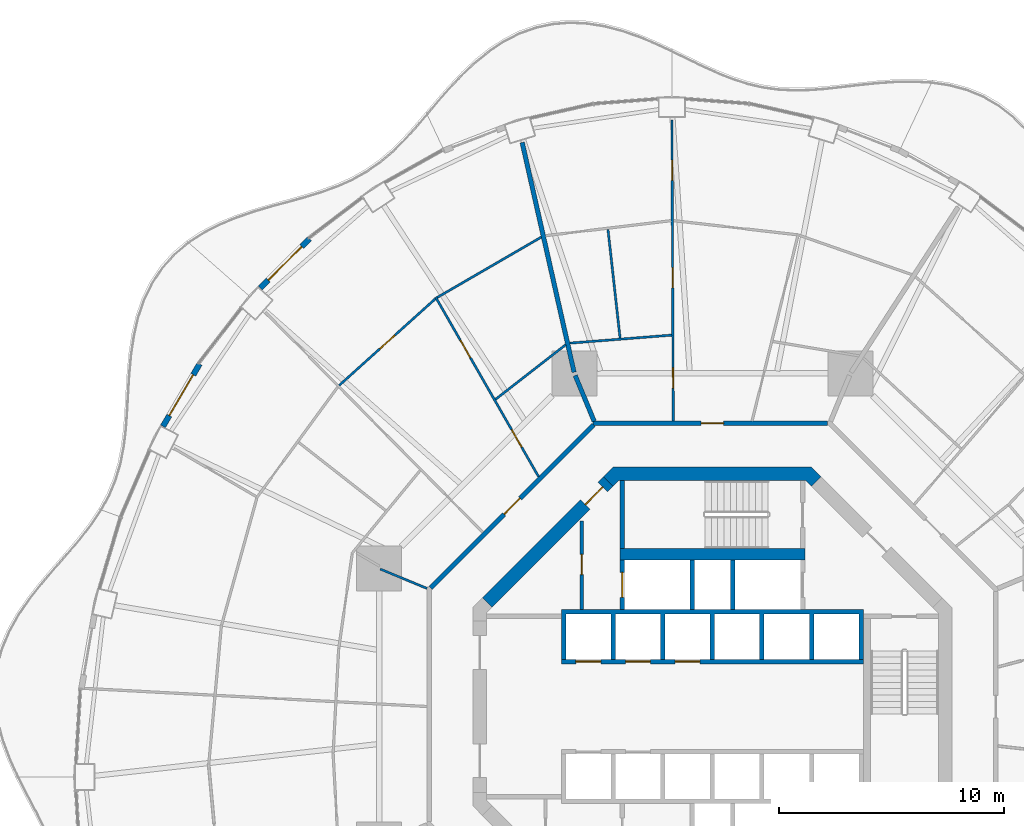
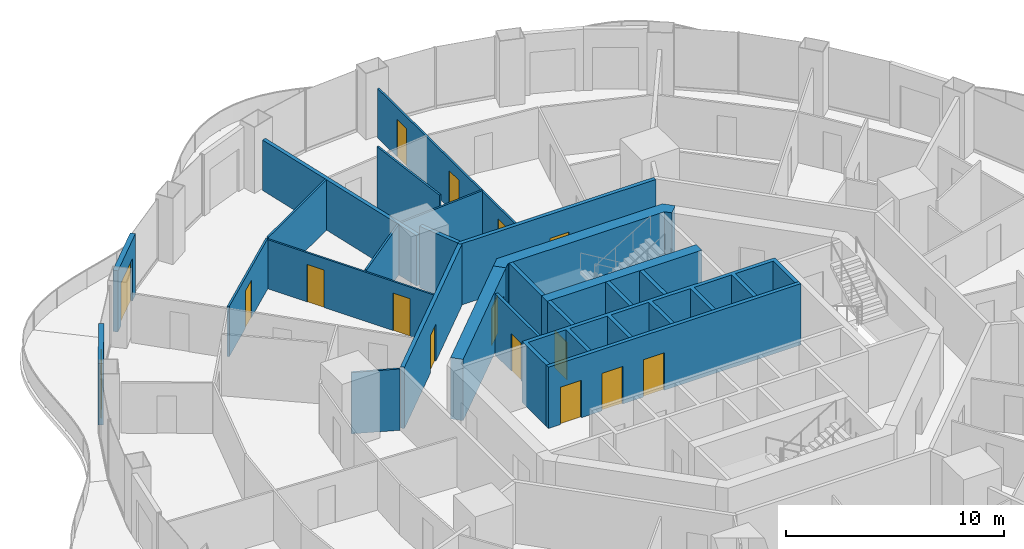
# One storey, part 15 of 20: 24 walls, 16 doors, 16 openings.
"""IFC4 building model written with IfcOpenShell, lengths in metres."""

from ifc_helpers import new_model, si_unit, direction, frame, frame_2d, origin, place, context, subcontext, project, spatial, polyline, rectangle, outline, extrude, material, layer, layer_set, type_object, element, fill, save


model = new_model("IFC4")

# Units and contexts
model_context = context("Model", 3, precision=1e-05, world=origin(), true_north=direction((0.0, 1.0)))
body_context = subcontext(model_context, "Body", "Model", "MODEL_VIEW")
ifc_project = project(units=[si_unit("LENGTHUNIT", "METRE"), si_unit("AREAUNIT", "SQUARE_METRE"), si_unit("VOLUMEUNIT", "CUBIC_METRE"), si_unit("PLANEANGLEUNIT", "RADIAN"), si_unit("MASSUNIT", "GRAM", prefix="KILO")], contexts=[model_context])

# Site, building, storey
site_placement = place(None, origin())
site = spatial("IfcSite", under=ifc_project, at=site_placement, CompositionType="ELEMENT")
building_placement = place(site_placement, origin())
building = spatial("IfcBuilding", under=site, at=building_placement, Name="Nagisa Residences", CompositionType="ELEMENT")
storey_placement = place(building_placement, frame((0.0, 0.0, 152.89990234375)))
storey = spatial("IfcBuildingStorey", under=building, at=storey_placement, Name="L38", CompositionType="ELEMENT", Elevation=152.89990234375)

# Walls
ifc_material_1 = material(Name="Gypsum board on steel studs", Category="steel")
ifc_layer_1 = layer(ifc_material_1, 0.199951171875)
ifc_layer_set_1 = layer_set([ifc_layer_1], Name="Apartment compartment wall EI60 200")
wall_type_1 = type_object("IfcWallType", Name="Apartment compartment wall EI60 200", PredefinedType="PARTITIONING", material=ifc_layer_set_1)
wall_1_placement = place(storey_placement, frame((-5.24267578125, 12.6572265625, 0.0), z_axis=(0.0, 0.0, 1.0), x_axis=(-0.38273085373, 0.923859888513, 0.0)))
element("IfcWall", 1, at=wall_1_placement, inside=storey, type_object=wall_type_1, Name="wall:L38:u04", PredefinedType="PARTITIONING", context=body_context, shape_type="SweptSolid", body=[
    extrude(rectangle(XDim=2.199462890625, YDim=0.199951171875, at=frame_2d((1.099609375, 0.0))), origin(), (0.0, 0.0, 1.0), 3.440185546875),
])
wall_2_placement = place(storey_placement, frame((-6.1337890625, 14.830810546875, 0.0), z_axis=(0.0, 0.0, 1.0), x_axis=(-0.220337590808, 0.975423675167, 0.0)))
element("IfcWall", 2, at=wall_2_placement, inside=storey, type_object=wall_type_1, Name="wall:L38:u05", PredefinedType="PARTITIONING", context=body_context, shape_type="SweptSolid", body=[
    extrude(rectangle(XDim=10.450927734375, YDim=0.199951171875, at=frame_2d((5.2255859375, 0.0))), origin(), (0.0, 0.0, 1.0), 2.828125),
])

# Wall, opening, door
ifc_material_2 = material(Name="Gypsum board on steel studs", Category="steel")
ifc_layer_2 = layer(ifc_material_2, 0.199951171875)
ifc_layer_set_2 = layer_set([ifc_layer_2], Name="Apartment entry wall EI60 200")
wall_type_2 = type_object("IfcWallType", Name="Apartment entry wall EI60 200", PredefinedType="PARTITIONING", material=ifc_layer_set_2)
wall_3_placement = place(storey_placement, frame((5.1044921875, 12.564697265625, 0.0), z_axis=(0.0, 0.0, 1.0), x_axis=(-1.0, 0.0, 0.0)))
wall_3 = element("IfcWall", 3, at=wall_3_placement, inside=storey, type_object=wall_type_2, Name="wall:L38:u14", PredefinedType="PARTITIONING", context=body_context, shape_type="SweptSolid", body=[
    extrude(rectangle(XDim=10.408935546875, YDim=0.199951171875, at=frame_2d((5.20458984375, 0.0))), origin(), (0.0, 0.0, 1.0), 3.440185546875),
])
opening_1_placement = place(wall_3_placement, frame((4.6044921875, 0.0, 0.0)))
opening_1 = element("IfcOpeningElement", 4, at=opening_1_placement, cuts=wall_3, Name="Opening L38-U24", PredefinedType="OPENING", context=body_context, shape_type="SweptSolid", body=[
    extrude(rectangle(XDim=1.0, YDim=2.10009765625, at=frame_2d((0.5, 1.050048828125))), frame((0.0, 0.10986328125, 0.0), z_axis=(0.0, -1.0, 0.0), x_axis=(1.0, 0.0, 0.0)), (0.0, 0.0, 1.0), 0.219970703125),
])
ifc_material_3 = material(Name="Timber fire door set", Category="wood")
door_type_1 = type_object("IfcDoorType", Name="Apartment entry door FD30S 1000x2100", OperationType="NOTDEFINED", PredefinedType="DOOR", material=ifc_material_3)
door_1_placement = place(opening_1_placement, frame((1.0, 0.0, 0.0), x_axis=(-1.0, 0.0, 0.0)))
door_1 = element("IfcDoor", 5, at=door_1_placement, inside=storey, type_object=door_type_1, Name="Entry door, Apartment 38D", OperationType="SINGLE_SWING_LEFT", OverallHeight=2.10009765625, OverallWidth=1.0, PredefinedType="DOOR", context=body_context, shape_type="SweptSolid", body=[
    extrude(rectangle(XDim=1.0, YDim=2.10009765625, at=frame_2d((0.5, 1.050048828125))), frame((0.0, 0.02490234375, 0.0), z_axis=(0.0, -1.0, 0.0), x_axis=(1.0, 0.0, 0.0)), (0.0, 0.0, 1.0), 0.050048828125),
])
fill(opening_1, door_1)

wall_4_placement = place(storey_placement, frame((-5.275146484375, 12.494140625, 0.0), z_axis=(0.0, 0.0, 1.0), x_axis=(-0.707106781187, -0.707106781187, 0.0)))
wall_4 = element("IfcWall", 6, at=wall_4_placement, inside=storey, type_object=wall_type_2, Name="wall:L38:u15", PredefinedType="PARTITIONING", context=body_context, shape_type="SweptSolid", body=[
    extrude(rectangle(XDim=10.209228515625, YDim=0.199951171875, at=frame_2d((5.1044921875, 0.0))), origin(), (0.0, 0.0, 1.0), 3.440185546875),
])
opening_2_placement = place(wall_4_placement, frame((4.6044921875, 0.0, 0.0)))
opening_2 = element("IfcOpeningElement", 7, at=opening_2_placement, cuts=wall_4, Name="Opening L38-U32", PredefinedType="OPENING", context=body_context, shape_type="SweptSolid", body=[
    extrude(rectangle(XDim=1.0, YDim=2.10009765625, at=frame_2d((0.5, 1.050048828125))), frame((0.0, 0.10986328125, 0.0), z_axis=(0.0, -1.0, 0.0), x_axis=(1.0, 0.0, 0.0)), (0.0, 0.0, 1.0), 0.219970703125),
])
door_2_placement = place(opening_2_placement, frame((1.0, 0.0, 0.0), x_axis=(-1.0, 0.0, 0.0)))
door_2 = element("IfcDoor", 8, at=door_2_placement, inside=storey, type_object=door_type_1, Name="Entry door, Apartment 38E", OperationType="SINGLE_SWING_LEFT", OverallHeight=2.10009765625, OverallWidth=1.0, PredefinedType="DOOR", context=body_context, shape_type="SweptSolid", body=[
    extrude(rectangle(XDim=1.0, YDim=2.10009765625, at=frame_2d((0.5, 1.050048828125))), frame((0.0, 0.02490234375, 0.0), z_axis=(0.0, -1.0, 0.0), x_axis=(1.0, 0.0, 0.0)), (0.0, 0.0, 1.0), 0.050048828125),
])
fill(opening_2, door_2)

# Wall, openings, doors
ifc_material_4 = material(Name="Gypsum board on steel studs", Category="steel")
ifc_layer_3 = layer(ifc_material_4, 0.10009765625)
ifc_layer_set_3 = layer_set([ifc_layer_3], Name="Apartment partition 100")
wall_type_3 = type_object("IfcWallType", Name="Apartment partition 100", PredefinedType="PARTITIONING", material=ifc_layer_set_3)
wall_5_placement = place(storey_placement, frame((-1.7353515625, 12.664794921875, 0.0), z_axis=(0.0, 0.0, 1.0), x_axis=(-0.004494500855, 0.99998989968, 0.0)))
wall_5 = element("IfcWall", 9, at=wall_5_placement, inside=storey, type_object=wall_type_3, Name="wall:L38:u39", PredefinedType="PARTITIONING", context=body_context, shape_type="SweptSolid", body=[
    extrude(rectangle(XDim=13.36279296875, YDim=0.10009765625, at=frame_2d((6.681396484375, 0.0))), origin(), (0.0, 0.0, 1.0), 2.756103515625),
])
opening_3_placement = place(wall_5_placement, frame((1.459228515625, 0.0, 0.0)))
opening_3 = element("IfcOpeningElement", 10, at=opening_3_placement, cuts=wall_5, Name="Opening L38-U26", PredefinedType="OPENING", context=body_context, shape_type="SweptSolid", body=[
    extrude(rectangle(XDim=0.89990234375, YDim=2.10009765625, at=frame_2d((0.449951171875, 1.050048828125))), frame((0.0, 0.06005859375, 0.0), z_axis=(0.0, -1.0, 0.0), x_axis=(1.0, 0.0, 0.0)), (0.0, 0.0, 1.0), 0.1201171875),
])
opening_4_placement = place(wall_5_placement, frame((5.908203125, 0.0, 0.0)))
opening_4 = element("IfcOpeningElement", 11, at=opening_4_placement, cuts=wall_5, Name="Opening L38-U28", PredefinedType="OPENING", context=body_context, shape_type="SweptSolid", body=[
    extrude(rectangle(XDim=0.89990234375, YDim=2.10009765625, at=frame_2d((0.449951171875, 1.050048828125))), frame((0.0, 0.06005859375, 0.0), z_axis=(0.0, -1.0, 0.0), x_axis=(1.0, 0.0, 0.0)), (0.0, 0.0, 1.0), 0.1201171875),
])
opening_5_placement = place(wall_5_placement, frame((10.680419921875, 0.0, 0.0)))
opening_5 = element("IfcOpeningElement", 12, at=opening_5_placement, cuts=wall_5, Name="Opening L38-U30", PredefinedType="OPENING", context=body_context, shape_type="SweptSolid", body=[
    extrude(rectangle(XDim=0.89990234375, YDim=2.10009765625, at=frame_2d((0.449951171875, 1.050048828125))), frame((0.0, 0.06005859375, 0.0), z_axis=(0.0, -1.0, 0.0), x_axis=(1.0, 0.0, 0.0)), (0.0, 0.0, 1.0), 0.1201171875),
])
ifc_material_5 = material(Name="Timber door set", Category="wood")
door_type_2 = type_object("IfcDoorType", Name="Apartment door 900x2100", OperationType="NOTDEFINED", PredefinedType="DOOR", material=ifc_material_5)
door_3_placement = place(opening_3_placement, origin())
door_3 = element("IfcDoor", 13, at=door_3_placement, inside=storey, type_object=door_type_2, Name="Door to family bathroom, Apartment 38D", OperationType="SINGLE_SWING_RIGHT", OverallHeight=2.10009765625, OverallWidth=0.89990234375, PredefinedType="DOOR", context=body_context, shape_type="SweptSolid", body=[
    extrude(rectangle(XDim=0.89990234375, YDim=2.10009765625, at=frame_2d((0.449951171875, 1.050048828125))), frame((0.0, 0.02490234375, 0.0), z_axis=(0.0, -1.0, 0.0), x_axis=(1.0, 0.0, 0.0)), (0.0, 0.0, 1.0), 0.050048828125),
])
fill(opening_3, door_3)
door_4_placement = place(opening_4_placement, origin())
door_4 = element("IfcDoor", 14, at=door_4_placement, inside=storey, type_object=door_type_2, Name="Door to family bathroom, Apartment 38D", OperationType="SINGLE_SWING_RIGHT", OverallHeight=2.10009765625, OverallWidth=0.89990234375, PredefinedType="DOOR", context=body_context, shape_type="SweptSolid", body=[
    extrude(rectangle(XDim=0.89990234375, YDim=2.10009765625, at=frame_2d((0.449951171875, 1.050048828125))), frame((0.0, 0.02490234375, 0.0), z_axis=(0.0, -1.0, 0.0), x_axis=(1.0, 0.0, 0.0)), (0.0, 0.0, 1.0), 0.050048828125),
])
fill(opening_4, door_4)
door_5_placement = place(opening_5_placement, origin())
door_5 = element("IfcDoor", 15, at=door_5_placement, inside=storey, type_object=door_type_2, Name="Door to master bedroom, Apartment 38D", OperationType="SINGLE_SWING_RIGHT", OverallHeight=2.10009765625, OverallWidth=0.89990234375, PredefinedType="DOOR", context=body_context, shape_type="SweptSolid", body=[
    extrude(rectangle(XDim=0.89990234375, YDim=2.10009765625, at=frame_2d((0.449951171875, 1.050048828125))), frame((0.0, 0.02490234375, 0.0), z_axis=(0.0, -1.0, 0.0), x_axis=(1.0, 0.0, 0.0)), (0.0, 0.0, 1.0), 0.050048828125),
])
fill(opening_5, door_5)

# Walls
wall_6_placement = place(storey_placement, frame((-1.80224609375, 16.479248046875, 0.0), z_axis=(0.0, 0.0, 1.0), x_axis=(-0.996907698294, -0.078581429625, 0.0)))
element("IfcWall", 16, at=wall_6_placement, inside=storey, type_object=wall_type_3, Name="wall:L38:u40", PredefinedType="PARTITIONING", context=body_context, shape_type="SweptSolid", body=[
    extrude(rectangle(XDim=4.535888671875, YDim=0.10009765625, at=frame_2d((2.26806640625, 0.0))), origin(), (0.0, 0.0, 1.0), 2.828125),
])
wall_7_placement = place(storey_placement, frame((-4.09375, 16.348876953125, 0.0), z_axis=(0.0, 0.0, 1.0), x_axis=(-0.110961740678, 0.993824678757, 0.0)))
element("IfcWall", 17, at=wall_7_placement, inside=storey, type_object=wall_type_3, Name="wall:L38:u42", PredefinedType="PARTITIONING", context=body_context, shape_type="SweptSolid", body=[
    extrude(rectangle(XDim=4.8515625, YDim=0.10009765625, at=frame_2d((2.42578125, 0.0))), origin(), (0.0, 0.0, 1.0), 3.440185546875),
])
wall_8_placement = place(storey_placement, frame((-6.5029296875, 16.0537109375, 0.0), z_axis=(0.0, 0.0, 1.0), x_axis=(-0.789428807693, -0.613842127574, 0.0)))
element("IfcWall", 18, at=wall_8_placement, inside=storey, type_object=wall_type_3, Name="wall:L38:u43", PredefinedType="PARTITIONING", context=body_context, shape_type="SweptSolid", body=[
    extrude(rectangle(XDim=3.947509765625, YDim=0.10009765625, at=frame_2d((1.9736328125, 0.0))), origin(), (0.0, 0.0, 1.0), 2.828125),
])
wall_9_placement = place(storey_placement, frame((-7.586181640625, 20.827392578125, 0.0), z_axis=(0.0, 0.0, 1.0), x_axis=(-0.865093450578, -0.501610727325, 0.0)))
element("IfcWall", 19, at=wall_9_placement, inside=storey, type_object=wall_type_3, Name="wall:L38:u44", PredefinedType="PARTITIONING", context=body_context, shape_type="SweptSolid", body=[
    extrude(rectangle(XDim=5.343017578125, YDim=0.10009765625, at=frame_2d((2.67138671875, 0.0))), origin(), (0.0, 0.0, 1.0), 2.828125),
])

# Wall, openings, doors
wall_10_placement = place(storey_placement, frame((-7.707763671875, 10.197998046875, 0.0), z_axis=(0.0, 0.0, 1.0), x_axis=(-0.497449462689, 0.867492957937, 0.0)))
wall_10 = element("IfcWall", 20, at=wall_10_placement, inside=storey, type_object=wall_type_3, Name="wall:L38:u45", PredefinedType="PARTITIONING", context=body_context, shape_type="SweptSolid", body=[
    extrude(rectangle(XDim=9.1845703125, YDim=0.10009765625, at=frame_2d((4.59228515625, 0.0))), origin(), (0.0, 0.0, 1.0), 2.756103515625),
])
opening_6_placement = place(wall_10_placement, frame((1.5107421875, 0.0, 0.0)))
opening_6 = element("IfcOpeningElement", 21, at=opening_6_placement, cuts=wall_10, Name="Opening L38-U33", PredefinedType="OPENING", context=body_context, shape_type="SweptSolid", body=[
    extrude(rectangle(XDim=0.89990234375, YDim=2.10009765625, at=frame_2d((0.449951171875, 1.050048828125))), frame((0.0, 0.06005859375, 0.0), z_axis=(0.0, -1.0, 0.0), x_axis=(1.0, 0.0, 0.0)), (0.0, 0.0, 1.0), 0.1201171875),
])
opening_7_placement = place(wall_10_placement, frame((6.077880859375, 0.0, 0.0)))
opening_7 = element("IfcOpeningElement", 22, at=opening_7_placement, cuts=wall_10, Name="Opening L38-U35", PredefinedType="OPENING", context=body_context, shape_type="SweptSolid", body=[
    extrude(rectangle(XDim=0.89990234375, YDim=2.10009765625, at=frame_2d((0.449951171875, 1.050048828125))), frame((0.0, 0.06005859375, 0.0), z_axis=(0.0, -1.0, 0.0), x_axis=(1.0, 0.0, 0.0)), (0.0, 0.0, 1.0), 0.1201171875),
])
door_6_placement = place(opening_6_placement, frame((0.89990234375, 0.0, 0.0), x_axis=(-1.0, 0.0, 0.0)))
door_6 = element("IfcDoor", 23, at=door_6_placement, inside=storey, type_object=door_type_2, Name="Door to store, Apartment 38E", OperationType="SINGLE_SWING_RIGHT", OverallHeight=2.10009765625, OverallWidth=0.89990234375, PredefinedType="DOOR", context=body_context, shape_type="SweptSolid", body=[
    extrude(rectangle(XDim=0.89990234375, YDim=2.10009765625, at=frame_2d((0.449951171875, 1.050048828125))), frame((0.0, 0.02490234375, 0.0), z_axis=(0.0, -1.0, 0.0), x_axis=(1.0, 0.0, 0.0)), (0.0, 0.0, 1.0), 0.050048828125),
])
fill(opening_6, door_6)
door_7_placement = place(opening_7_placement, frame((0.89990234375, 0.0, 0.0), x_axis=(-1.0, 0.0, 0.0)))
door_7 = element("IfcDoor", 24, at=door_7_placement, inside=storey, type_object=door_type_2, Name="Door to study, Apartment 38E", OperationType="SINGLE_SWING_RIGHT", OverallHeight=2.10009765625, OverallWidth=0.89990234375, PredefinedType="DOOR", context=body_context, shape_type="SweptSolid", body=[
    extrude(rectangle(XDim=0.89990234375, YDim=2.10009765625, at=frame_2d((0.449951171875, 1.050048828125))), frame((0.0, 0.02490234375, 0.0), z_axis=(0.0, -1.0, 0.0), x_axis=(1.0, 0.0, 0.0)), (0.0, 0.0, 1.0), 0.050048828125),
])
fill(opening_7, door_7)

# Wall, opening, door
wall_11_placement = place(storey_placement, frame((-12.2890625, 18.088623046875, 0.0), z_axis=(0.0, 0.0, 1.0), x_axis=(-0.743146066164, -0.669129228435, 0.0)))
wall_11 = element("IfcWall", 25, at=wall_11_placement, inside=storey, type_object=wall_type_3, Name="wall:L38:u46", PredefinedType="PARTITIONING", context=body_context, shape_type="SweptSolid", body=[
    extrude(rectangle(XDim=5.7392578125, YDim=0.10009765625, at=frame_2d((2.86962890625, 0.0))), origin(), (0.0, 0.0, 1.0), 2.828125),
])
opening_8_placement = place(wall_11_placement, frame((2.419677734375, 0.0, 0.0)))
opening_8 = element("IfcOpeningElement", 26, at=opening_8_placement, cuts=wall_11, Name="Opening L38-U37", PredefinedType="OPENING", context=body_context, shape_type="SweptSolid", body=[
    extrude(rectangle(XDim=0.89990234375, YDim=2.10009765625, at=frame_2d((0.449951171875, 1.050048828125))), frame((0.0, 0.06005859375, 0.0), z_axis=(0.0, -1.0, 0.0), x_axis=(1.0, 0.0, 0.0)), (0.0, 0.0, 1.0), 0.1201171875),
])
door_8_placement = place(opening_8_placement, frame((0.89990234375, 0.0, 0.0), x_axis=(-1.0, 0.0, 0.0)))
door_8 = element("IfcDoor", 27, at=door_8_placement, inside=storey, type_object=door_type_2, Name="Door to living room, Apartment 38E", OperationType="SINGLE_SWING_RIGHT", OverallHeight=2.10009765625, OverallWidth=0.89990234375, PredefinedType="DOOR", context=body_context, shape_type="SweptSolid", body=[
    extrude(rectangle(XDim=0.89990234375, YDim=2.10009765625, at=frame_2d((0.449951171875, 1.050048828125))), frame((0.0, 0.02490234375, 0.0), z_axis=(0.0, -1.0, 0.0), x_axis=(1.0, 0.0, 0.0)), (0.0, 0.0, 1.0), 0.050048828125),
])
fill(opening_8, door_8)

# Wall
wall_12_placement = place(storey_placement, frame((-12.6572265625, 5.24267578125, 0.0), z_axis=(0.0, 0.0, 1.0), x_axis=(-0.923864733477, 0.382719158442, 0.0)))
element("IfcWall", 28, at=wall_12_placement, inside=storey, type_object=wall_type_3, Name="wall:L38:u51", PredefinedType="PARTITIONING", context=body_context, shape_type="SweptSolid", body=[
    extrude(rectangle(XDim=2.25, YDim=0.10009765625, at=frame_2d((1.125, 0.0))), origin(), (0.0, 0.0, 1.0), 3.440185546875),
])

# Wall, opening, door
ifc_material_6 = material(Name="Precast concrete C40/50", Category="concrete")
ifc_layer_4 = layer(ifc_material_6, 0.25)
ifc_layer_set_4 = layer_set([ifc_layer_4], Name="BALCONY DOOR WALL 250")
wall_type_4 = type_object("IfcWallType", Name="BALCONY DOOR WALL 250", PredefinedType="SOLIDWALL", material=ifc_layer_set_4)
wall_13_placement = place(storey_placement, frame((-20.050048828125, 18.56884765625, 0.0), z_axis=(0.0, 0.0, 1.0), x_axis=(0.707857823335, 0.706354940482, 0.0)))
wall_13 = element("IfcWall", 29, at=wall_13_placement, inside=storey, type_object=wall_type_4, Name="wall:L38:bay17", PredefinedType="SOLIDWALL", context=body_context, shape_type="SweptSolid", body=[
    extrude(rectangle(XDim=3.08642578125, YDim=0.25, at=frame_2d((1.543212890625, 0.0))), origin(), (0.0, 0.0, 1.0), 3.440185546875),
])
opening_9_placement = place(wall_13_placement, frame((0.493408203125, 0.0, 0.0)))
opening_9 = element("IfcOpeningElement", 30, at=opening_9_placement, cuts=wall_13, Name="Opening BD-L38-06", PredefinedType="OPENING", context=body_context, shape_type="SweptSolid", body=[
    extrude(rectangle(XDim=2.10009765625, YDim=2.39990234375, at=frame_2d((1.050048828125, 1.199951171875))), frame((0.0, 0.135009765625, 0.0), z_axis=(0.0, -1.0, 0.0), x_axis=(1.0, 0.0, 0.0)), (0.0, 0.0, 1.0), 0.27001953125),
])
ifc_material_7 = material(Name="Aluminium and clear glass", Category="aluminium")
door_type_3 = type_object("IfcDoorType", Name="BALCONY SLIDING DOOR 2100x2400", OperationType="SLIDING_TO_LEFT", PredefinedType="DOOR", material=ifc_material_7)
door_9_placement = place(opening_9_placement, origin())
door_9 = element("IfcDoor", 31, at=door_9_placement, inside=storey, type_object=door_type_3, Name="door:L38:bay17", OperationType="SLIDING_TO_LEFT", OverallHeight=2.39990234375, OverallWidth=2.10009765625, PredefinedType="DOOR", context=body_context, shape_type="SweptSolid", body=[
    extrude(rectangle(XDim=2.10009765625, YDim=2.39990234375, at=frame_2d((1.050048828125, 1.199951171875))), frame((0.0, 0.02490234375, 0.0), z_axis=(0.0, -1.0, 0.0), x_axis=(1.0, 0.0, 0.0)), (0.0, 0.0, 1.0), 0.050048828125),
])
fill(opening_9, door_9)

wall_14_placement = place(storey_placement, frame((-24.368408203125, 12.433837890625, 0.0), z_axis=(0.0, 0.0, 1.0), x_axis=(0.506314982873, 0.862348617508, 0.0)))
wall_14 = element("IfcWall", 32, at=wall_14_placement, inside=storey, type_object=wall_type_4, Name="wall:L38:bay19", PredefinedType="SOLIDWALL", context=body_context, shape_type="SweptSolid", body=[
    extrude(rectangle(XDim=3.20849609375, YDim=0.25, at=frame_2d((1.604248046875, 0.0))), origin(), (0.0, 0.0, 1.0), 3.440185546875),
])
opening_10_placement = place(wall_14_placement, frame((0.55419921875, 0.0, 0.0)))
opening_10 = element("IfcOpeningElement", 33, at=opening_10_placement, cuts=wall_14, Name="Opening BD-L38-07", PredefinedType="OPENING", context=body_context, shape_type="SweptSolid", body=[
    extrude(rectangle(XDim=2.10009765625, YDim=2.39990234375, at=frame_2d((1.050048828125, 1.199951171875))), frame((0.0, 0.135009765625, 0.0), z_axis=(0.0, -1.0, 0.0), x_axis=(1.0, 0.0, 0.0)), (0.0, 0.0, 1.0), 0.27001953125),
])
door_10_placement = place(opening_10_placement, origin())
door_10 = element("IfcDoor", 34, at=door_10_placement, inside=storey, type_object=door_type_3, Name="door:L38:bay19", OperationType="SLIDING_TO_LEFT", OverallHeight=2.39990234375, OverallWidth=2.10009765625, PredefinedType="DOOR", context=body_context, shape_type="SweptSolid", body=[
    extrude(rectangle(XDim=2.10009765625, YDim=2.39990234375, at=frame_2d((1.050048828125, 1.199951171875))), frame((0.0, 0.02490234375, 0.0), z_axis=(0.0, -1.0, 0.0), x_axis=(1.0, 0.0, 0.0)), (0.0, 0.0, 1.0), 0.050048828125),
])
fill(opening_10, door_10)

ifc_material_8 = material(Name="Gypsum board on steel studs", Category="steel")
ifc_layer_5 = layer(ifc_material_8, 0.14990234375)
ifc_layer_set_5 = layer_set([ifc_layer_5], Name="Core partition 150")
wall_type_5 = type_object("IfcWallType", Name="Core partition 150", PredefinedType="PARTITIONING", material=ifc_layer_set_5)
wall_15_placement = place(storey_placement, frame((-5.800048828125, 4.300048828125, 0.0), z_axis=(0.0, 0.0, 1.0), x_axis=(0.0, 1.0, 0.0)))
wall_15 = element("IfcWall", 35, at=wall_15_placement, inside=storey, type_object=wall_type_5, Name="wall:L38:NWp", PredefinedType="PARTITIONING", context=body_context, shape_type="SweptSolid", body=[
    extrude(rectangle(XDim=3.927001953125, YDim=0.14990234375, at=frame_2d((1.96337890625, 0.0))), origin(), (0.0, 0.0, 1.0), 3.440185546875),
])
opening_11_placement = place(wall_15_placement, frame((1.551025390625, 0.0, 0.0)))
opening_11 = element("IfcOpeningElement", 36, at=opening_11_placement, cuts=wall_15, Name="Opening L38-C12", PredefinedType="OPENING", context=body_context, shape_type="SweptSolid", body=[
    extrude(rectangle(XDim=0.89990234375, YDim=2.10009765625, at=frame_2d((0.449951171875, 1.050048828125))), frame((0.0, 0.0849609375, 0.0), z_axis=(0.0, -1.0, 0.0), x_axis=(1.0, 0.0, 0.0)), (0.0, 0.0, 1.0), 0.169921875),
])
ifc_material_9 = material(Name="Steel fire door", Category="steel")
door_type_4 = type_object("IfcDoorType", Name="Fire door EI30 900x2100 single swing", OperationType="NOTDEFINED", PredefinedType="DOOR", material=ifc_material_9)
door_11_placement = place(opening_11_placement, origin())
door_11 = element("IfcDoor", 37, at=door_11_placement, inside=storey, type_object=door_type_4, Name="Hose reel room door L38", OperationType="SINGLE_SWING_RIGHT", OverallHeight=2.10009765625, OverallWidth=0.89990234375, PredefinedType="DOOR", context=body_context, shape_type="SweptSolid", body=[
    extrude(rectangle(XDim=0.89990234375, YDim=2.10009765625, at=frame_2d((0.449951171875, 1.050048828125))), frame((0.0, 0.02490234375, 0.0), z_axis=(0.0, -1.0, 0.0), x_axis=(1.0, 0.0, 0.0)), (0.0, 0.0, 1.0), 0.050048828125),
])
fill(opening_11, door_11)

ifc_material_10 = material(Name="Concrete C60", Category="concrete")
ifc_layer_6 = layer(ifc_material_10, 0.60009765625)
ifc_layer_set_6 = layer_set([ifc_layer_6], Name="Core shear wall 600")
wall_type_6 = type_object("IfcWallType", Name="Core shear wall 600", PredefinedType="SHEAR", material=ifc_layer_set_6)
wall_16_placement = place(storey_placement, frame((-4.613037109375, 9.98828125, 0.0), z_axis=(0.0, 0.0, 1.0), x_axis=(-0.707106781187, -0.707106781187, 0.0)))
wall_16 = element("IfcWall", 38, at=wall_16_placement, inside=storey, type_object=wall_type_6, Name="wall:L38:core:flat3", PredefinedType="SHEAR", context=body_context, shape_type="SweptSolid", body=[
    extrude(rectangle(XDim=7.601806640625, YDim=0.60009765625, at=frame_2d((3.80078125, 0.0))), origin(), (0.0, 0.0, 1.0), 3.440185546875),
])
opening_12_placement = place(wall_16_placement, frame((0.350830078125, 0.0, 0.0)))
opening_12 = element("IfcOpeningElement", 39, at=opening_12_placement, cuts=wall_16, Name="Opening L38-C19", PredefinedType="OPENING", context=body_context, shape_type="SweptSolid", body=[
    extrude(rectangle(XDim=1.10009765625, YDim=2.10009765625, at=frame_2d((0.550048828125, 1.050048828125))), frame((0.0, 0.31005859375, 0.0), z_axis=(0.0, -1.0, 0.0), x_axis=(1.0, 0.0, 0.0)), (0.0, 0.0, 1.0), 0.6201171875),
])
ifc_material_11 = material(Name="Steel fire door", Category="steel")
door_type_5 = type_object("IfcDoorType", Name="Fire door EI60 1100x2100 single swing", OperationType="NOTDEFINED", PredefinedType="DOOR", material=ifc_material_11)
door_12_placement = place(opening_12_placement, origin())
door_12 = element("IfcDoor", 40, at=door_12_placement, inside=storey, type_object=door_type_5, Name="Service lobby door L38", OperationType="SINGLE_SWING_LEFT", OverallHeight=2.10009765625, OverallWidth=1.10009765625, PredefinedType="DOOR", context=body_context, shape_type="SweptSolid", body=[
    extrude(rectangle(XDim=1.10009765625, YDim=2.10009765625, at=frame_2d((0.550048828125, 1.050048828125))), frame((0.0, 0.02490234375, 0.0), z_axis=(0.0, -1.0, 0.0), x_axis=(1.0, 0.0, 0.0)), (0.0, 0.0, 1.0), 0.050048828125),
])
fill(opening_12, door_12)

# Wall
wall_17_placement = place(storey_placement, origin())
element("IfcWall", 41, at=wall_17_placement, inside=storey, type_object=wall_type_6, Name="wall:L38:core:flat2", PredefinedType="SHEAR", context=body_context, shape_type="SweptSolid", body=[
    extrude(outline(polyline([(-4.15234375, 10.024658203125), (-4.40087890625, 9.776123046875), (-4.8251953125, 10.200439453125), (-4.40087890625, 10.62451171875), (4.40087890625, 10.62451171875), (4.8251953125, 10.200439453125), (4.40087890625, 9.776123046875), (4.15234375, 10.024658203125), (-4.15234375, 10.024658203125)])), origin(), (0.0, 0.0, 1.0), 3.440185546875),
])

# Wall, opening, door
ifc_material_12 = material(Name="Concrete C60", Category="concrete")
ifc_layer_7 = layer(ifc_material_12, 0.199951171875)
ifc_layer_set_7 = layer_set([ifc_layer_7], Name="Lift shaft wall 200")
wall_type_7 = type_object("IfcWallType", Name="Lift shaft wall 200", PredefinedType="SOLIDWALL", material=ifc_layer_set_7)
wall_18_placement = place(storey_placement, frame((-4.0, 4.300048828125, 0.0), z_axis=(0.0, 0.0, 1.0), x_axis=(0.0, 1.0, 0.0)))
wall_18 = element("IfcWall", 42, at=wall_18_placement, inside=storey, type_object=wall_type_7, Name="wall:L38:Nb4", PredefinedType="SOLIDWALL", context=body_context, shape_type="SweptSolid", body=[
    extrude(rectangle(XDim=2.199951171875, YDim=0.199951171875, at=frame_2d((1.10009765625, 0.0))), origin(), (0.0, 0.0, 1.0), 3.440185546875),
])
opening_13_placement = place(wall_18_placement, frame((0.550048828125, 0.0, 0.0)))
opening_13 = element("IfcOpeningElement", 43, at=opening_13_placement, cuts=wall_18, Name="Opening L38-C08", PredefinedType="OPENING", context=body_context, shape_type="SweptSolid", body=[
    extrude(rectangle(XDim=1.10009765625, YDim=2.10009765625, at=frame_2d((0.550048828125, 1.050048828125))), frame((0.0, 0.10986328125, 0.0), z_axis=(0.0, -1.0, 0.0), x_axis=(1.0, 0.0, 0.0)), (0.0, 0.0, 1.0), 0.219970703125),
])
ifc_material_13 = material(Name="Stainless steel", Category="steel")
door_type_6 = type_object("IfcDoorType", Name="Lift landing door 1100x2100", OperationType="DOUBLE_DOOR_SLIDING", PredefinedType="DOOR", material=ifc_material_13)
door_13_placement = place(opening_13_placement, origin())
door_13 = element("IfcDoor", 44, at=door_13_placement, inside=storey, type_object=door_type_6, Name="Landing door SV L38", OperationType="DOUBLE_DOOR_SLIDING", OverallHeight=2.10009765625, OverallWidth=1.10009765625, PredefinedType="DOOR", context=body_context, shape_type="SweptSolid", body=[
    extrude(rectangle(XDim=1.10009765625, YDim=2.10009765625, at=frame_2d((0.550048828125, 1.050048828125))), frame((0.0, 0.02490234375, 0.0), z_axis=(0.0, -1.0, 0.0), x_axis=(1.0, 0.0, 0.0)), (0.0, 0.0, 1.0), 0.050048828125),
])
fill(opening_13, door_13)

# Wall, openings, doors
wall_19_placement = place(storey_placement, frame((-6.699951171875, 2.0, 0.0), z_axis=(0.0, 0.0, 1.0), x_axis=(1.0, 0.0, 0.0)))
wall_19 = element("IfcWall", 45, at=wall_19_placement, inside=storey, type_object=wall_type_7, Name="wall:L38:Nfront", PredefinedType="SOLIDWALL", context=body_context, shape_type="SweptSolid", body=[
    extrude(rectangle(XDim=13.39990234375, YDim=0.199951171875, at=frame_2d((6.699951171875, 0.0))), origin(), (0.0, 0.0, 1.0), 3.440185546875),
])
opening_14_placement = place(wall_19_placement, frame((0.64990234375, 0.0, 0.0)))
opening_14 = element("IfcOpeningElement", 46, at=opening_14_placement, cuts=wall_19, Name="Opening L38-C01", PredefinedType="OPENING", context=body_context, shape_type="SweptSolid", body=[
    extrude(rectangle(XDim=1.10009765625, YDim=2.10009765625, at=frame_2d((0.550048828125, 1.050048828125))), frame((0.0, 0.10986328125, 0.0), z_axis=(0.0, -1.0, 0.0), x_axis=(1.0, 0.0, 0.0)), (0.0, 0.0, 1.0), 0.219970703125),
])
opening_15_placement = place(wall_19_placement, frame((2.85009765625, 0.0, 0.0)))
opening_15 = element("IfcOpeningElement", 47, at=opening_15_placement, cuts=wall_19, Name="Opening L38-C02", PredefinedType="OPENING", context=body_context, shape_type="SweptSolid", body=[
    extrude(rectangle(XDim=1.10009765625, YDim=2.10009765625, at=frame_2d((0.550048828125, 1.050048828125))), frame((0.0, 0.10986328125, 0.0), z_axis=(0.0, -1.0, 0.0), x_axis=(1.0, 0.0, 0.0)), (0.0, 0.0, 1.0), 0.219970703125),
])
opening_16_placement = place(wall_19_placement, frame((5.050048828125, 0.0, 0.0)))
opening_16 = element("IfcOpeningElement", 48, at=opening_16_placement, cuts=wall_19, Name="Opening L38-C03", PredefinedType="OPENING", context=body_context, shape_type="SweptSolid", body=[
    extrude(rectangle(XDim=1.10009765625, YDim=2.10009765625, at=frame_2d((0.550048828125, 1.050048828125))), frame((0.0, 0.10986328125, 0.0), z_axis=(0.0, -1.0, 0.0), x_axis=(1.0, 0.0, 0.0)), (0.0, 0.0, 1.0), 0.219970703125),
])
door_14_placement = place(opening_14_placement, origin())
door_14 = element("IfcDoor", 49, at=door_14_placement, inside=storey, type_object=door_type_6, Name="Landing door A1 L38", OperationType="DOUBLE_DOOR_SLIDING", OverallHeight=2.10009765625, OverallWidth=1.10009765625, PredefinedType="DOOR", context=body_context, shape_type="SweptSolid", body=[
    extrude(rectangle(XDim=1.10009765625, YDim=2.10009765625, at=frame_2d((0.550048828125, 1.050048828125))), frame((0.0, 0.02490234375, 0.0), z_axis=(0.0, -1.0, 0.0), x_axis=(1.0, 0.0, 0.0)), (0.0, 0.0, 1.0), 0.050048828125),
])
fill(opening_14, door_14)
door_15_placement = place(opening_15_placement, origin())
door_15 = element("IfcDoor", 50, at=door_15_placement, inside=storey, type_object=door_type_6, Name="Landing door A2 L38", OperationType="DOUBLE_DOOR_SLIDING", OverallHeight=2.10009765625, OverallWidth=1.10009765625, PredefinedType="DOOR", context=body_context, shape_type="SweptSolid", body=[
    extrude(rectangle(XDim=1.10009765625, YDim=2.10009765625, at=frame_2d((0.550048828125, 1.050048828125))), frame((0.0, 0.02490234375, 0.0), z_axis=(0.0, -1.0, 0.0), x_axis=(1.0, 0.0, 0.0)), (0.0, 0.0, 1.0), 0.050048828125),
])
fill(opening_15, door_15)
door_16_placement = place(opening_16_placement, origin())
door_16 = element("IfcDoor", 51, at=door_16_placement, inside=storey, type_object=door_type_6, Name="Landing door A3 L38", OperationType="DOUBLE_DOOR_SLIDING", OverallHeight=2.10009765625, OverallWidth=1.10009765625, PredefinedType="DOOR", context=body_context, shape_type="SweptSolid", body=[
    extrude(rectangle(XDim=1.10009765625, YDim=2.10009765625, at=frame_2d((0.550048828125, 1.050048828125))), frame((0.0, 0.02490234375, 0.0), z_axis=(0.0, -1.0, 0.0), x_axis=(1.0, 0.0, 0.0)), (0.0, 0.0, 1.0), 0.050048828125),
])
fill(opening_16, door_16)

# Walls
for number, where, z_axis, x_axis, name in (
    (52, (-0.89990234375, 4.300048828125, 0.0), (0.0, 0.0, 1.0), (0.0, 1.0, 0.0), "wall:L38:Nb1"),
    (53, (0.89990234375, 4.300048828125, 0.0), (0.0, 0.0, 1.0), (0.0, 1.0, 0.0), "wall:L38:Nb2"),
):
    element("IfcWall", number, at=place(storey_placement, frame(where, z_axis=z_axis, x_axis=x_axis)), inside=storey, type_object=wall_type_7, Name=name, PredefinedType="SOLIDWALL", context=body_context, shape_type="SweptSolid", body=[
        extrude(rectangle(XDim=2.199951171875, YDim=0.199951171875, at=frame_2d((1.10009765625, 0.0))), origin(), (0.0, 0.0, 1.0), 3.440185546875),
    ])
wall_20_placement = place(storey_placement, origin())
element("IfcWall", 54, at=wall_20_placement, inside=storey, type_object=wall_type_7, Name="wall:L38:Nback", PredefinedType="SOLIDWALL", context=body_context, shape_type="SweptSolid", body=[
    extrude(outline(polyline([(-6.5, 2.10009765625), (-6.699951171875, 2.10009765625), (-6.699951171875, 4.300048828125), (6.699951171875, 4.300048828125), (6.699951171875, 2.10009765625), (6.5, 2.10009765625), (6.5, 4.10009765625), (4.5, 4.10009765625), (4.5, 2.10009765625), (4.300048828125, 2.10009765625), (4.300048828125, 4.10009765625), (2.300048828125, 4.10009765625), (2.300048828125, 2.10009765625), (2.10009765625, 2.10009765625), (2.10009765625, 4.10009765625), (0.10009765625, 4.10009765625), (0.10009765625, 2.10009765625), (-0.10009765625, 2.10009765625), (-0.10009765625, 4.10009765625), (-2.10009765625, 4.10009765625), (-2.10009765625, 2.10009765625), (-2.300048828125, 2.10009765625), (-2.300048828125, 4.10009765625), (-4.300048828125, 4.10009765625), (-4.300048828125, 2.10009765625), (-4.5, 2.10009765625), (-4.5, 4.10009765625), (-6.5, 4.10009765625), (-6.5, 2.10009765625)])), origin(), (0.0, 0.0, 1.0), 3.440185546875),
])
ifc_material_14 = material(Name="Concrete C60", Category="concrete")
ifc_layer_8 = layer(ifc_material_14, 0.199951171875)
ifc_layer_set_8 = layer_set([ifc_layer_8], Name="Stair enclosure wall 200")
wall_type_8 = type_object("IfcWallType", Name="Stair enclosure wall 200", PredefinedType="SOLIDWALL", material=ifc_layer_set_8)
wall_21_placement = place(storey_placement, origin())
element("IfcWall", 55, at=wall_21_placement, inside=storey, type_object=wall_type_8, Name="wall:L38:SN_w", PredefinedType="SOLIDWALL", context=body_context, shape_type="SweptSolid", body=[
    extrude(outline(polyline([(-3.89990234375, 7.024658203125), (-4.10009765625, 7.024658203125), (-4.10009765625, 10.024658203125), (-3.89990234375, 10.024658203125), (-3.89990234375, 7.024658203125)])), origin(), (0.0, 0.0, 1.0), 3.440185546875),
])
wall_22_placement = place(storey_placement, origin())
element("IfcWall", 56, at=wall_22_placement, inside=storey, type_object=wall_type_8, Name="wall:L38:SN_s", PredefinedType="SOLIDWALL", context=body_context, shape_type="SweptSolid", body=[
    extrude(outline(polyline([(4.10009765625, 6.5), (-4.10009765625, 6.5), (-4.10009765625, 7.024658203125), (4.10009765625, 7.024658203125), (4.10009765625, 6.5)])), origin(), (0.0, 0.0, 1.0), 3.440185546875),
])

save(model, "model.ifc")
